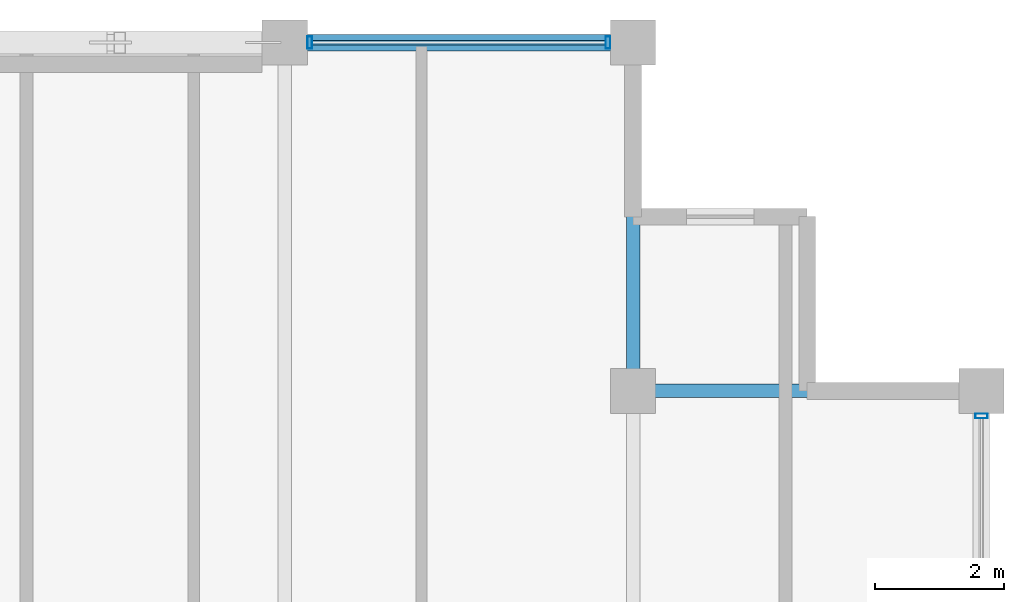
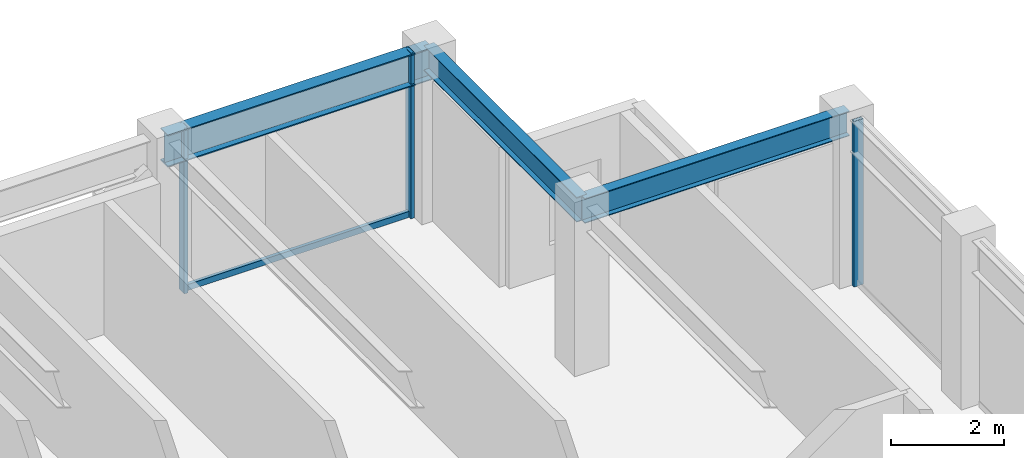
# One storey, part 22 of 31: 4 members, 3 beams, 2 elements without a shape of their own.
"""IFC4 building model written with IfcOpenShell, lengths in metres."""

from ifc_helpers import new_model, si_unit, direction, frame, origin, origin_2d, place, context, subcontext, project, spatial, hollow_rectangle, i_section, extrude, material, layer, layer_set, material_profile, profile_set, type_object, element, aggregate, save


model = new_model("IFC4")

# Units and contexts
model_context = context("Model", 3, precision=1e-05, world=origin(), true_north=direction((0.0, 1.0)))
body_context = subcontext(model_context, "Body", "Model", "MODEL_VIEW")
ifc_project = project(units=[si_unit("LENGTHUNIT", "METRE"), si_unit("AREAUNIT", "SQUARE_METRE"), si_unit("VOLUMEUNIT", "CUBIC_METRE"), si_unit("PLANEANGLEUNIT", "RADIAN"), si_unit("MASSUNIT", "GRAM", prefix="KILO")], contexts=[model_context])

# Site, building, storey
site_placement = place(None, origin())
site = spatial("IfcSite", under=ifc_project, at=site_placement, CompositionType="ELEMENT")
building_placement = place(site_placement, origin())
building = spatial("IfcBuilding", under=site, at=building_placement, Name="Surkhivell Harbour Commons", CompositionType="ELEMENT")
storey_placement = place(building_placement, frame((0.0, 0.0, 330.0)))
storey = spatial("IfcBuildingStorey", under=building, at=storey_placement, Name="L86", CompositionType="ELEMENT", Elevation=330.0)

# Beams
ifc_material_1 = material(Name="Steel S355", Category="steel")
ifc_material_profile_1 = material_profile(ifc_material_1, i_section(OverallWidth=0.2099609375, OverallDepth=0.537109375, WebThickness=0.0107421875, FlangeThickness=0.017333984375, at=origin_2d()), Name="UB533x210x101")
ifc_profile_set_1 = profile_set([ifc_material_profile_1], Name="Steel S355")
beam_type_1 = type_object("IfcBeamType", Name="BM-GRD-533B", PredefinedType="BEAM", material=ifc_profile_set_1)
for number, where, z_axis, x_axis, name in (
    (1, (10.800048828125, 20.5, 3.301513671875), (0.0, 1.0, 0.0), (-1.0, 0.0, 0.0), "L86 Floor Girder (10.8,20.5)"),
    (2, (10.800048828125, 20.5, 3.301513671875), (1.0, 0.0, 0.0), (0.0, 1.0, 0.0), "L86 Floor Girder (10.8,20.5)"),
):
    element("IfcBeam", number, at=place(storey_placement, frame(where, z_axis=z_axis, x_axis=x_axis)), inside=storey, type_object=beam_type_1, Name=name, PredefinedType="BEAM", context=body_context, shape_type="SweptSolid", body=[
        extrude(i_section(OverallWidth=0.2099609375, OverallDepth=0.537109375, WebThickness=0.0107421875, FlangeThickness=0.017333984375, at=origin_2d()), origin(), (0.0, 0.0, 1.0), 5.39990234375),
    ])
ifc_material_profile_2 = material_profile(ifc_material_1, i_section(OverallWidth=0.256103515625, OverallDepth=0.693115234375, WebThickness=0.014404296875, FlangeThickness=0.023681640625, at=origin_2d()), Name="UB686x254x170")
ifc_profile_set_2 = profile_set([ifc_material_profile_2], Name="Steel S355")
beam_type_2 = type_object("IfcBeamType", Name="BM-SPN-686", PredefinedType="SPANDREL", material=ifc_profile_set_2)
beam_placement = place(storey_placement, frame((5.39990234375, 25.89990234375, 3.223388671875), z_axis=(1.0, 0.0, 0.0), x_axis=(0.0, 1.0, 0.0)))
element("IfcBeam", 3, at=beam_placement, inside=storey, type_object=beam_type_2, Name="L86 Tube Spandrel (5.4,25.9)", PredefinedType="SPANDREL", context=body_context, shape_type="SweptSolid", body=[
    extrude(i_section(OverallWidth=0.256103515625, OverallDepth=0.693115234375, WebThickness=0.014404296875, FlangeThickness=0.023681640625, at=origin_2d()), origin(), (0.0, 0.0, 1.0), 5.400146484375),
])

# Curtain wall, member
ifc_material_2 = material(Name="Anodised pale-metal aluminium and insulated glazing", Category="aluminium")
ifc_layer = layer(ifc_material_2, 0.175048828125)
ifc_layer_set = layer_set([ifc_layer], Name="Anodised pale-metal aluminium and insulated glazing")
curtain_wall_type = type_object("IfcCurtainWallType", Name="CW-SYS-Z4", PredefinedType="NOTDEFINED", material=ifc_layer_set)
curtain_wall_1_placement = place(storey_placement, origin())
curtain_wall_1 = element("IfcCurtainWall", 4, at=curtain_wall_1_placement, inside=storey, type_object=curtain_wall_type, Name="L86 Curtain Wall CW-L86-E02", PredefinedType="NOTDEFINED")
ifc_material_3 = material(Name="Anodised pale-metal aluminium alloy 6063-T6", Category="aluminium")
ifc_material_profile_3 = material_profile(ifc_material_3, hollow_rectangle(XDim=0.074951171875, YDim=0.18994140625, WallThickness=0.00390625, at=origin_2d()), Name="ALU-MULL-75x190")
ifc_profile_set_3 = profile_set([ifc_material_profile_3], Name="Anodised pale-metal aluminium alloy 6063-T6")
member_type_1 = type_object("IfcMemberType", Name="CWM-190", PredefinedType="MULLION", material=ifc_profile_set_3)
member_1_placement = place(storey_placement, frame((16.199951171875, 20.110595703125, 0.0), z_axis=(0.0, 0.0, 1.0), x_axis=(0.0, 1.0, 0.0)))
member_1 = element("IfcMember", 5, at=member_1_placement, type_object=member_type_1, Name="CW-Z4 mullion 6", PredefinedType="MULLION", context=body_context, shape_type="SweptSolid", body=[
    extrude(hollow_rectangle(XDim=0.074951171875, YDim=0.18994140625, WallThickness=0.00390625, at=origin_2d()), origin(), (0.0, 0.0, 1.0), 3.570068359375),
])
aggregate(curtain_wall_1, [member_1])

# Curtain wall, members
curtain_wall_2_placement = place(storey_placement, origin())
curtain_wall_2 = element("IfcCurtainWall", 6, at=curtain_wall_2_placement, inside=storey, type_object=curtain_wall_type, Name="L86 Curtain Wall CW-L86-E07S1", PredefinedType="NOTDEFINED")
member_2_placement = place(storey_placement, frame((10.410400390625, 25.89990234375, 0.0), z_axis=(0.0, 0.0, 1.0), x_axis=(-1.0, 0.0, 0.0)))
member_2 = element("IfcMember", 7, at=member_2_placement, type_object=member_type_1, Name="CW-Z4 mullion 1", PredefinedType="MULLION", context=body_context, shape_type="SweptSolid", body=[
    extrude(hollow_rectangle(XDim=0.074951171875, YDim=0.18994140625, WallThickness=0.00390625, at=origin_2d()), origin(), (0.0, 0.0, 1.0), 3.570068359375),
])
member_3_placement = place(storey_placement, frame((5.78955078125, 25.89990234375, 0.0), z_axis=(0.0, 0.0, 1.0), x_axis=(-1.0, 0.0, 0.0)))
member_3 = element("IfcMember", 8, at=member_3_placement, type_object=member_type_1, Name="CW-Z4 mullion 2", PredefinedType="MULLION", context=body_context, shape_type="SweptSolid", body=[
    extrude(hollow_rectangle(XDim=0.074951171875, YDim=0.18994140625, WallThickness=0.00390625, at=origin_2d()), origin(), (0.0, 0.0, 1.0), 3.570068359375),
])
ifc_material_4 = material(Name="Champagne anodised aluminium alloy 6063-T6", Category="aluminium")
ifc_material_profile_4 = material_profile(ifc_material_4, hollow_rectangle(XDim=0.070068359375, YDim=0.1298828125, WallThickness=0.00341796875, at=origin_2d()), Name="ALU-TRAN-70x130")
ifc_profile_set_4 = profile_set([ifc_material_profile_4], Name="Champagne anodised aluminium alloy 6063-T6")
member_type_2 = type_object("IfcMemberType", Name="CWT-130", PredefinedType="USERDEFINED", material=ifc_profile_set_4)
member_4_placement = place(storey_placement, frame((10.373046875, 25.89990234375, 0.06494140625), z_axis=(-1.0, 0.0, 0.0), x_axis=(0.0, -1.0, 0.0)))
member_4 = element("IfcMember", 9, at=member_4_placement, type_object=member_type_2, Name="CW-Z4 transom 1.1", ObjectType="TRANSOM", PredefinedType="USERDEFINED", context=body_context, shape_type="SweptSolid", body=[
    extrude(hollow_rectangle(XDim=0.070068359375, YDim=0.1298828125, WallThickness=0.00341796875, at=origin_2d()), origin(), (0.0, 0.0, 1.0), 4.546142578125),
])
aggregate(curtain_wall_2, [member_2, member_3, member_4])

save(model, "model.ifc")
